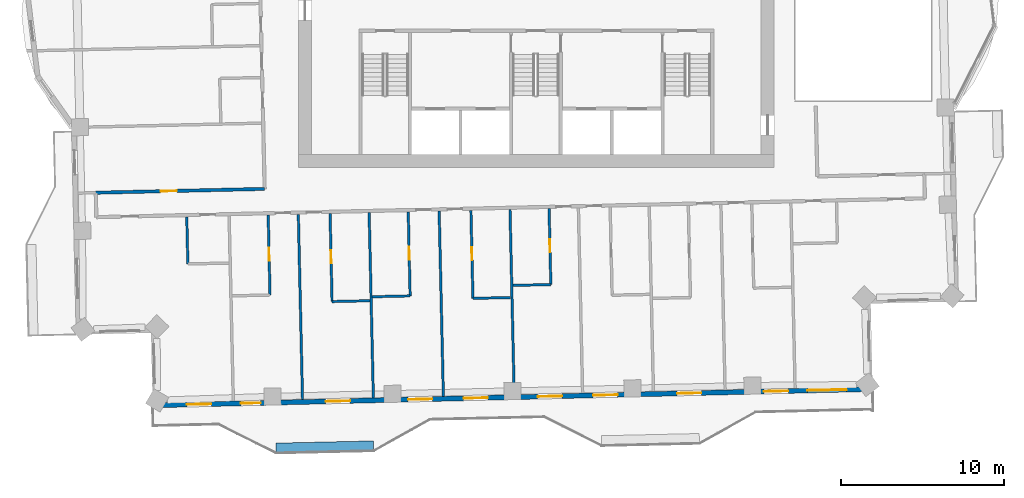
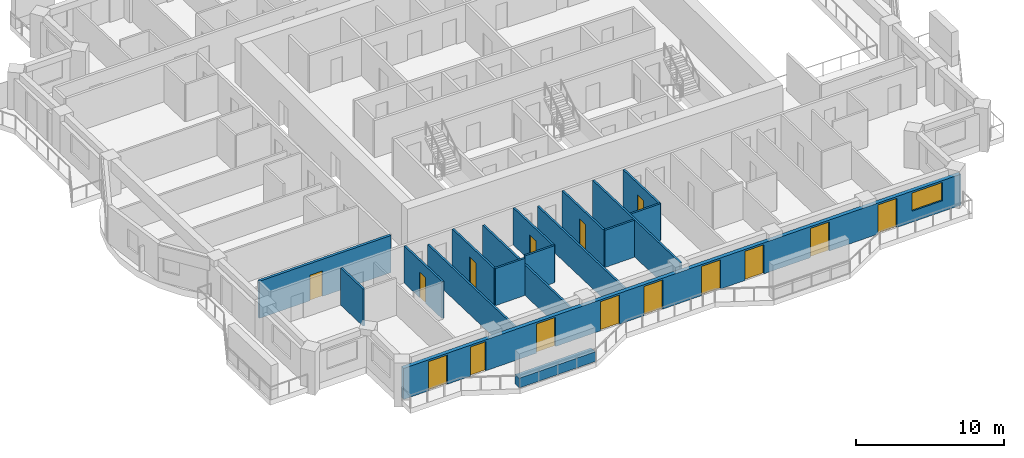
# One storey, part 6 of 17: 17 walls, 15 doors, 1 window, 16 openings.
"""IFC4 building model written with IfcOpenShell, lengths in metres."""

from ifc_helpers import new_model, si_unit, direction, frame, frame_2d, origin, place, context, subcontext, project, spatial, rectangle, extrude, material, layer, layer_set, type_object, element, fill, save


model = new_model("IFC4")

# Units and contexts
model_context = context("Model", 3, precision=1e-05, world=origin(), true_north=direction((0.0, 1.0)))
body_context = subcontext(model_context, "Body", "Model", "MODEL_VIEW")
ifc_project = project(units=[si_unit("LENGTHUNIT", "METRE"), si_unit("AREAUNIT", "SQUARE_METRE"), si_unit("VOLUMEUNIT", "CUBIC_METRE"), si_unit("PLANEANGLEUNIT", "RADIAN"), si_unit("MASSUNIT", "GRAM", prefix="KILO")], contexts=[model_context])

# Site, building, storey
site_placement = place(None, origin())
site = spatial("IfcSite", under=ifc_project, at=site_placement, CompositionType="ELEMENT")
building_placement = place(site_placement, origin())
building = spatial("IfcBuilding", under=site, at=building_placement, Name="Mangrove Gate Tower", CompositionType="ELEMENT")
storey_placement = place(building_placement, frame((0.0, 0.0, 245.5)))
storey = spatial("IfcBuildingStorey", under=building, at=storey_placement, Name="L62", CompositionType="ELEMENT", Elevation=245.5)

# Wall, opening, door
ifc_material_1 = material(Name="Gypsum board on steel stud, EI 60", Category="steel")
ifc_layer_1 = layer(ifc_material_1, 0.199951171875)
ifc_layer_set_1 = layer_set([ifc_layer_1], Name="Corridor wall EI 60")
wall_type_1 = type_object("IfcWallType", Name="Corridor wall EI 60", PredefinedType="PARTITIONING", material=ifc_layer_set_1)
wall_1_placement = place(storey_placement, frame((-27.050048828125, -13.14990234375, 0.0), z_axis=(0.0, 0.0, 1.0), x_axis=(0.999743679035, 0.022640146404, 0.0)))
wall_1 = element("IfcWall", 1, at=wall_1_placement, inside=storey, type_object=wall_type_1, Name="WALL-L62-036", PredefinedType="PARTITIONING", context=body_context, shape_type="SweptSolid", body=[
    extrude(rectangle(XDim=10.373779296875, YDim=0.199951171875, at=frame_2d((5.18701171875, 0.0))), origin(), (0.0, 0.0, 1.0), 3.050048828125),
])
opening_1_placement = place(wall_1_placement, frame((3.987060546875, 0.0, 0.0)))
opening_1 = element("IfcOpeningElement", 2, at=opening_1_placement, cuts=wall_1, Name="Opening AD", PredefinedType="OPENING", context=body_context, shape_type="SweptSolid", body=[
    extrude(rectangle(XDim=1.0, YDim=2.10009765625, at=frame_2d((0.5, 1.050048828125))), frame((0.0, 0.10986328125, 0.0), z_axis=(0.0, -1.0, 0.0), x_axis=(1.0, 0.0, 0.0)), (0.0, 0.0, 1.0), 0.219970703125),
])
ifc_material_2 = material(Name="Timber door leaf", Category="wood")
door_type_1 = type_object("IfcDoorType", Name="Amenity door 1000", OperationType="SINGLE_SWING_LEFT", PredefinedType="DOOR", material=ifc_material_2)
door_1_placement = place(opening_1_placement, origin())
door_1 = element("IfcDoor", 3, at=door_1_placement, inside=storey, type_object=door_type_1, Name="DOOR-L62-KIT-c5d", OperationType="SINGLE_SWING_LEFT", OverallHeight=2.10009765625, OverallWidth=1.0, PredefinedType="DOOR", context=body_context, shape_type="SweptSolid", body=[
    extrude(rectangle(XDim=1.0, YDim=2.10009765625, at=frame_2d((0.5, 1.050048828125))), frame((0.0, 0.02490234375, 0.0), z_axis=(0.0, -1.0, 0.0), x_axis=(1.0, 0.0, 0.0)), (0.0, 0.0, 1.0), 0.050048828125),
])
fill(opening_1, door_1)

# Wall, openings, doors, window
ifc_material_3 = material(Name="Limestone", Category="masonry")
ifc_layer_2 = layer(ifc_material_3, 0.0400390625, Name="Limestone cladding")
ifc_material_4 = material(Name="Ventilated air gap")
ifc_layer_3 = layer(ifc_material_4, 0.0400390625, Name="Ventilated cavity")
ifc_material_5 = material(Name="Mineral wool insulation")
ifc_layer_4 = layer(ifc_material_5, 0.06005859375, Name="Insulation")
ifc_material_6 = material(Name="Breather membrane")
ifc_layer_5 = layer(ifc_material_6, 0.001953125, Name="Breather membrane")
ifc_material_7 = material(Name="Concrete C20/25 blockwork", Category="masonry")
ifc_layer_6 = layer(ifc_material_7, 0.14990234375, Name="Blockwork backing wall")
ifc_material_8 = material(Name="Gypsum plaster")
ifc_layer_7 = layer(ifc_material_8, 0.008056640625, Name="Internal plaster")
ifc_layer_set_2 = layer_set([ifc_layer_2, ifc_layer_3, ifc_layer_4, ifc_layer_5, ifc_layer_6, ifc_layer_7], Name="External wall 300 limestone cladding")
wall_type_2 = type_object("IfcWallType", Name="External wall 300 limestone cladding", PredefinedType="SOLIDWALL", material=ifc_layer_set_2)
wall_2_placement = place(storey_placement, frame((-23.403076171875, -26.200927734375, 0.0), z_axis=(0.0, 0.0, 1.0), x_axis=(0.999742770494, 0.022680230258, 0.0)))
wall_2 = element("IfcWall", 4, at=wall_2_placement, inside=storey, type_object=wall_type_2, Name="WALL-L62-S13", PredefinedType="SOLIDWALL", context=body_context, shape_type="SweptSolid", body=[
    extrude(rectangle(XDim=43.908203125, YDim=0.300048828125, at=frame_2d((21.9541015625, 0.0))), origin(), (0.0, 0.0, 1.0), 2.550048828125),
])
opening_2_placement = place(wall_2_placement, frame((1.950927734375, 0.0, 0.0)))
opening_2 = element("IfcOpeningElement", 5, at=opening_2_placement, cuts=wall_2, Name="Opening BD1", PredefinedType="OPENING", context=body_context, shape_type="SweptSolid", body=[
    extrude(rectangle(XDim=1.5, YDim=2.39990234375, at=frame_2d((0.75, 1.199951171875))), frame((0.0, 0.159912109375, 0.0), z_axis=(0.0, -1.0, 0.0), x_axis=(1.0, 0.0, 0.0)), (0.0, 0.0, 1.0), 0.320068359375),
])
opening_3_placement = place(wall_2_placement, frame((5.27197265625, 0.0, 0.0)))
opening_3 = element("IfcOpeningElement", 6, at=opening_3_placement, cuts=wall_2, Name="Opening BD2", PredefinedType="OPENING", context=body_context, shape_type="SweptSolid", body=[
    extrude(rectangle(XDim=1.199951171875, YDim=2.39990234375, at=frame_2d((0.60009765625, 1.199951171875))), frame((0.0, 0.159912109375, 0.0), z_axis=(0.0, -1.0, 0.0), x_axis=(1.0, 0.0, 0.0)), (0.0, 0.0, 1.0), 0.320068359375),
])
opening_4_placement = place(wall_2_placement, frame((10.47509765625, 0.0, 0.0)))
opening_4 = element("IfcOpeningElement", 7, at=opening_4_placement, cuts=wall_2, Name="Opening BD1", PredefinedType="OPENING", context=body_context, shape_type="SweptSolid", body=[
    extrude(rectangle(XDim=1.5, YDim=2.39990234375, at=frame_2d((0.75, 1.199951171875))), frame((0.0, 0.159912109375, 0.0), z_axis=(0.0, -1.0, 0.0), x_axis=(1.0, 0.0, 0.0)), (0.0, 0.0, 1.0), 0.320068359375),
])
opening_5_placement = place(wall_2_placement, frame((15.530029296875, 0.0, 0.0)))
opening_5 = element("IfcOpeningElement", 8, at=opening_5_placement, cuts=wall_2, Name="Opening BD1", PredefinedType="OPENING", context=body_context, shape_type="SweptSolid", body=[
    extrude(rectangle(XDim=1.5, YDim=2.39990234375, at=frame_2d((0.75, 1.199951171875))), frame((0.0, 0.159912109375, 0.0), z_axis=(0.0, -1.0, 0.0), x_axis=(1.0, 0.0, 0.0)), (0.0, 0.0, 1.0), 0.320068359375),
])
opening_6_placement = place(wall_2_placement, frame((18.93896484375, 0.0, 0.0)))
opening_6 = element("IfcOpeningElement", 9, at=opening_6_placement, cuts=wall_2, Name="Opening BD1", PredefinedType="OPENING", context=body_context, shape_type="SweptSolid", body=[
    extrude(rectangle(XDim=1.5, YDim=2.39990234375, at=frame_2d((0.75, 1.199951171875))), frame((0.0, 0.159912109375, 0.0), z_axis=(0.0, -1.0, 0.0), x_axis=(1.0, 0.0, 0.0)), (0.0, 0.0, 1.0), 0.320068359375),
])
opening_7_placement = place(wall_2_placement, frame((23.489013671875, 0.0, 0.0)))
opening_7 = element("IfcOpeningElement", 10, at=opening_7_placement, cuts=wall_2, Name="Opening BD1", PredefinedType="OPENING", context=body_context, shape_type="SweptSolid", body=[
    extrude(rectangle(XDim=1.5, YDim=2.39990234375, at=frame_2d((0.75, 1.199951171875))), frame((0.0, 0.159912109375, 0.0), z_axis=(0.0, -1.0, 0.0), x_axis=(1.0, 0.0, 0.0)), (0.0, 0.0, 1.0), 0.320068359375),
])
opening_8_placement = place(wall_2_placement, frame((26.89794921875, 0.0, 0.0)))
opening_8 = element("IfcOpeningElement", 11, at=opening_8_placement, cuts=wall_2, Name="Opening BD1", PredefinedType="OPENING", context=body_context, shape_type="SweptSolid", body=[
    extrude(rectangle(XDim=1.5, YDim=2.39990234375, at=frame_2d((0.75, 1.199951171875))), frame((0.0, 0.159912109375, 0.0), z_axis=(0.0, -1.0, 0.0), x_axis=(1.0, 0.0, 0.0)), (0.0, 0.0, 1.0), 0.320068359375),
])
opening_9_placement = place(wall_2_placement, frame((32.050048828125, 0.0, 0.0)))
opening_9 = element("IfcOpeningElement", 12, at=opening_9_placement, cuts=wall_2, Name="Opening BD1", PredefinedType="OPENING", context=body_context, shape_type="SweptSolid", body=[
    extrude(rectangle(XDim=1.5, YDim=2.39990234375, at=frame_2d((0.75, 1.199951171875))), frame((0.0, 0.159912109375, 0.0), z_axis=(0.0, -1.0, 0.0), x_axis=(1.0, 0.0, 0.0)), (0.0, 0.0, 1.0), 0.320068359375),
])
opening_10_placement = place(wall_2_placement, frame((37.382080078125, 0.0, 0.0)))
opening_10 = element("IfcOpeningElement", 13, at=opening_10_placement, cuts=wall_2, Name="Opening BD1", PredefinedType="OPENING", context=body_context, shape_type="SweptSolid", body=[
    extrude(rectangle(XDim=1.5, YDim=2.39990234375, at=frame_2d((0.75, 1.199951171875))), frame((0.0, 0.159912109375, 0.0), z_axis=(0.0, -1.0, 0.0), x_axis=(1.0, 0.0, 0.0)), (0.0, 0.0, 1.0), 0.320068359375),
])
opening_11_placement = place(wall_2_placement, frame((40.056884765625, 0.0, 0.89990234375)))
opening_11 = element("IfcOpeningElement", 14, at=opening_11_placement, cuts=wall_2, Name="Opening W2", PredefinedType="OPENING", context=body_context, shape_type="SweptSolid", body=[
    extrude(rectangle(XDim=2.39990234375, YDim=1.5, at=frame_2d((1.199951171875, 0.75))), frame((0.0, 0.159912109375, 0.0), z_axis=(0.0, -1.0, 0.0), x_axis=(1.0, 0.0, 0.0)), (0.0, 0.0, 1.0), 0.320068359375),
])
ifc_material_9 = material(Name="Aluminium frame with laminated clear glass", Category="aluminium")
door_type_2 = type_object("IfcDoorType", Name="Balcony sliding door 1200x2400", OperationType="SLIDING_TO_LEFT", PredefinedType="DOOR", material=ifc_material_9)
door_2_placement = place(opening_3_placement, origin())
door_2 = element("IfcDoor", 15, at=door_2_placement, inside=storey, type_object=door_type_2, Name="DOOR-L62-S13-2", OperationType="SLIDING_TO_LEFT", OverallHeight=2.39990234375, OverallWidth=1.199951171875, PredefinedType="DOOR", context=body_context, shape_type="SweptSolid", body=[
    extrude(rectangle(XDim=1.199951171875, YDim=2.39990234375, at=frame_2d((0.60009765625, 1.199951171875))), frame((0.0, 0.02490234375, 0.0), z_axis=(0.0, -1.0, 0.0), x_axis=(1.0, 0.0, 0.0)), (0.0, 0.0, 1.0), 0.050048828125),
])
fill(opening_3, door_2)
ifc_material_10 = material(Name="Aluminium frame with laminated clear glass", Category="aluminium")
door_type_3 = type_object("IfcDoorType", Name="Balcony sliding door 1500x2400", OperationType="SLIDING_TO_LEFT", PredefinedType="DOOR", material=ifc_material_10)
door_3_placement = place(opening_2_placement, origin())
door_3 = element("IfcDoor", 16, at=door_3_placement, inside=storey, type_object=door_type_3, Name="DOOR-L62-S13-1", OperationType="SLIDING_TO_LEFT", OverallHeight=2.39990234375, OverallWidth=1.5, PredefinedType="DOOR", context=body_context, shape_type="SweptSolid", body=[
    extrude(rectangle(XDim=1.5, YDim=2.39990234375, at=frame_2d((0.75, 1.199951171875))), frame((0.0, 0.02490234375, 0.0), z_axis=(0.0, -1.0, 0.0), x_axis=(1.0, 0.0, 0.0)), (0.0, 0.0, 1.0), 0.050048828125),
])
fill(opening_2, door_3)
door_4_placement = place(opening_4_placement, origin())
door_4 = element("IfcDoor", 17, at=door_4_placement, inside=storey, type_object=door_type_3, Name="DOOR-L62-S13-3", OperationType="SLIDING_TO_LEFT", OverallHeight=2.39990234375, OverallWidth=1.5, PredefinedType="DOOR", context=body_context, shape_type="SweptSolid", body=[
    extrude(rectangle(XDim=1.5, YDim=2.39990234375, at=frame_2d((0.75, 1.199951171875))), frame((0.0, 0.02490234375, 0.0), z_axis=(0.0, -1.0, 0.0), x_axis=(1.0, 0.0, 0.0)), (0.0, 0.0, 1.0), 0.050048828125),
])
fill(opening_4, door_4)
door_5_placement = place(opening_5_placement, origin())
door_5 = element("IfcDoor", 18, at=door_5_placement, inside=storey, type_object=door_type_3, Name="DOOR-L62-S13-4", OperationType="SLIDING_TO_LEFT", OverallHeight=2.39990234375, OverallWidth=1.5, PredefinedType="DOOR", context=body_context, shape_type="SweptSolid", body=[
    extrude(rectangle(XDim=1.5, YDim=2.39990234375, at=frame_2d((0.75, 1.199951171875))), frame((0.0, 0.02490234375, 0.0), z_axis=(0.0, -1.0, 0.0), x_axis=(1.0, 0.0, 0.0)), (0.0, 0.0, 1.0), 0.050048828125),
])
fill(opening_5, door_5)
door_6_placement = place(opening_6_placement, origin())
door_6 = element("IfcDoor", 19, at=door_6_placement, inside=storey, type_object=door_type_3, Name="DOOR-L62-S13-5", OperationType="SLIDING_TO_LEFT", OverallHeight=2.39990234375, OverallWidth=1.5, PredefinedType="DOOR", context=body_context, shape_type="SweptSolid", body=[
    extrude(rectangle(XDim=1.5, YDim=2.39990234375, at=frame_2d((0.75, 1.199951171875))), frame((0.0, 0.02490234375, 0.0), z_axis=(0.0, -1.0, 0.0), x_axis=(1.0, 0.0, 0.0)), (0.0, 0.0, 1.0), 0.050048828125),
])
fill(opening_6, door_6)
door_7_placement = place(opening_7_placement, origin())
door_7 = element("IfcDoor", 20, at=door_7_placement, inside=storey, type_object=door_type_3, Name="DOOR-L62-S13-6", OperationType="SLIDING_TO_LEFT", OverallHeight=2.39990234375, OverallWidth=1.5, PredefinedType="DOOR", context=body_context, shape_type="SweptSolid", body=[
    extrude(rectangle(XDim=1.5, YDim=2.39990234375, at=frame_2d((0.75, 1.199951171875))), frame((0.0, 0.02490234375, 0.0), z_axis=(0.0, -1.0, 0.0), x_axis=(1.0, 0.0, 0.0)), (0.0, 0.0, 1.0), 0.050048828125),
])
fill(opening_7, door_7)
door_8_placement = place(opening_8_placement, origin())
door_8 = element("IfcDoor", 21, at=door_8_placement, inside=storey, type_object=door_type_3, Name="DOOR-L62-S13-7", OperationType="SLIDING_TO_LEFT", OverallHeight=2.39990234375, OverallWidth=1.5, PredefinedType="DOOR", context=body_context, shape_type="SweptSolid", body=[
    extrude(rectangle(XDim=1.5, YDim=2.39990234375, at=frame_2d((0.75, 1.199951171875))), frame((0.0, 0.02490234375, 0.0), z_axis=(0.0, -1.0, 0.0), x_axis=(1.0, 0.0, 0.0)), (0.0, 0.0, 1.0), 0.050048828125),
])
fill(opening_8, door_8)
door_9_placement = place(opening_9_placement, origin())
door_9 = element("IfcDoor", 22, at=door_9_placement, inside=storey, type_object=door_type_3, Name="DOOR-L62-S13-8", OperationType="SLIDING_TO_LEFT", OverallHeight=2.39990234375, OverallWidth=1.5, PredefinedType="DOOR", context=body_context, shape_type="SweptSolid", body=[
    extrude(rectangle(XDim=1.5, YDim=2.39990234375, at=frame_2d((0.75, 1.199951171875))), frame((0.0, 0.02490234375, 0.0), z_axis=(0.0, -1.0, 0.0), x_axis=(1.0, 0.0, 0.0)), (0.0, 0.0, 1.0), 0.050048828125),
])
fill(opening_9, door_9)
door_10_placement = place(opening_10_placement, origin())
door_10 = element("IfcDoor", 23, at=door_10_placement, inside=storey, type_object=door_type_3, Name="DOOR-L62-S13-9", OperationType="SLIDING_TO_LEFT", OverallHeight=2.39990234375, OverallWidth=1.5, PredefinedType="DOOR", context=body_context, shape_type="SweptSolid", body=[
    extrude(rectangle(XDim=1.5, YDim=2.39990234375, at=frame_2d((0.75, 1.199951171875))), frame((0.0, 0.02490234375, 0.0), z_axis=(0.0, -1.0, 0.0), x_axis=(1.0, 0.0, 0.0)), (0.0, 0.0, 1.0), 0.050048828125),
])
fill(opening_10, door_10)
ifc_material_11 = material(Name="Aluminium frame with double-glazed low-e glass", Category="aluminium")
window_type = type_object("IfcWindowType", Name="Corner room window 2400x1500", PartitioningType="DOUBLE_PANEL_VERTICAL", PredefinedType="WINDOW", material=ifc_material_11)
window_placement = place(opening_11_placement, origin())
window = element("IfcWindow", 24, at=window_placement, inside=storey, type_object=window_type, Name="WIN-L62-S13-10", OverallHeight=1.5, OverallWidth=2.39990234375, PartitioningType="DOUBLE_PANEL_VERTICAL", PredefinedType="WINDOW", context=body_context, shape_type="SweptSolid", body=[
    extrude(rectangle(XDim=2.39990234375, YDim=1.5, at=frame_2d((1.199951171875, 0.75))), frame((0.0, 0.030029296875, 0.0), z_axis=(0.0, -1.0, 0.0), x_axis=(1.0, 0.0, 0.0)), (0.0, 0.0, 1.0), 0.06005859375),
])
fill(opening_11, window)

# Walls
ifc_material_12 = material(Name="Gypsum board on steel stud, EI 60", Category="steel")
ifc_layer_8 = layer(ifc_material_12, 0.14990234375)
ifc_layer_set_3 = layer_set([ifc_layer_8], Name="Party wall 150 EI 60")
wall_type_3 = type_object("IfcWallType", Name="Party wall 150 EI 60", PredefinedType="PARTITIONING", material=ifc_layer_set_3)
for number, where, z_axis, x_axis, name in (
    (25, (-14.35400390625, -25.845947265625, 0.0), (0.0, 0.0, 1.0), (-0.022684355347, 0.999742676904, 0.0), "WALL-L62-002"),
    (26, (-10.0048828125, -25.7470703125, 0.0), (0.0, 0.0, 1.0), (-0.022770155219, 0.999740726404, 0.0), "WALL-L62-003"),
    (27, (-5.70703125, -25.64892578125, 0.0), (0.0, 0.0, 1.0), (-0.022684355347, 0.999742676904, 0.0), "WALL-L62-004"),
):
    element("IfcWall", number, at=place(storey_placement, frame(where, z_axis=z_axis, x_axis=x_axis)), inside=storey, type_object=wall_type_3, Name=name, PredefinedType="PARTITIONING", context=body_context, shape_type="SweptSolid", body=[
        extrude(rectangle(XDim=11.3759765625, YDim=0.14990234375, at=frame_2d((5.68798828125, 0.0))), origin(), (0.0, 0.0, 1.0), 2.5),
    ])
wall_3_placement = place(storey_placement, frame((-1.35791015625, -25.551025390625, 0.0), z_axis=(0.0, 0.0, 1.0), x_axis=(-0.022684355347, 0.999742676904, 0.0)))
element("IfcWall", 28, at=wall_3_placement, inside=storey, type_object=wall_type_3, Name="WALL-L62-005", PredefinedType="PARTITIONING", context=body_context, shape_type="SweptSolid", body=[
    extrude(rectangle(XDim=11.3759765625, YDim=0.14990234375, at=frame_2d((5.68798828125, 0.0))), origin(), (0.0, 0.0, 1.0), 3.050048828125),
])

# Wall, opening, door
wall_4_placement = place(storey_placement, frame((-12.5400390625, -19.8369140625, 0.0), z_axis=(0.0, 0.0, 1.0), x_axis=(-0.022742931096, 0.999741346092, 0.0)))
wall_4 = element("IfcWall", 29, at=wall_4_placement, inside=storey, type_object=wall_type_3, Name="WALL-L62-012", PredefinedType="PARTITIONING", context=body_context, shape_type="SweptSolid", body=[
    extrude(rectangle(XDim=5.410400390625, YDim=0.14990234375, at=frame_2d((2.705078125, 0.0))), origin(), (0.0, 0.0, 1.0), 3.050048828125),
])
opening_12_placement = place(wall_4_placement, frame((2.35498046875, 0.0, 0.0)))
opening_12 = element("IfcOpeningElement", 30, at=opening_12_placement, cuts=wall_4, Name="Opening ED", PredefinedType="OPENING", context=body_context, shape_type="SweptSolid", body=[
    extrude(rectangle(XDim=0.800048828125, YDim=2.10009765625, at=frame_2d((0.39990234375, 1.050048828125))), frame((0.0, 0.0849609375, 0.0), z_axis=(0.0, -1.0, 0.0), x_axis=(1.0, 0.0, 0.0)), (0.0, 0.0, 1.0), 0.169921875),
])
ifc_material_13 = material(Name="Timber door leaf", Category="wood")
door_type_4 = type_object("IfcDoorType", Name="En-suite door 800", OperationType="SINGLE_SWING_LEFT", PredefinedType="DOOR", material=ifc_material_13)
door_11_placement = place(opening_12_placement, origin())
door_11 = element("IfcDoor", 31, at=door_11_placement, inside=storey, type_object=door_type_4, Name="DOOR-L62-ENS-c102", OperationType="SINGLE_SWING_RIGHT", OverallHeight=2.10009765625, OverallWidth=0.800048828125, PredefinedType="DOOR", context=body_context, shape_type="SweptSolid", body=[
    extrude(rectangle(XDim=0.800048828125, YDim=2.10009765625, at=frame_2d((0.39990234375, 1.050048828125))), frame((0.0, 0.02490234375, 0.0), z_axis=(0.0, -1.0, 0.0), x_axis=(1.0, 0.0, 0.0)), (0.0, 0.0, 1.0), 0.050048828125),
])
fill(opening_12, door_11)

wall_5_placement = place(storey_placement, frame((-3.89208984375, -19.64111328125, 0.0), z_axis=(0.0, 0.0, 1.0), x_axis=(-0.022696805576, 0.999742394328, 0.0)))
wall_5 = element("IfcWall", 32, at=wall_5_placement, inside=storey, type_object=wall_type_3, Name="WALL-L62-013", PredefinedType="PARTITIONING", context=body_context, shape_type="SweptSolid", body=[
    extrude(rectangle(XDim=5.41064453125, YDim=0.14990234375, at=frame_2d((2.705322265625, 0.0))), origin(), (0.0, 0.0, 1.0), 3.050048828125),
])
opening_13_placement = place(wall_5_placement, frame((2.35498046875, 0.0, 0.0)))
opening_13 = element("IfcOpeningElement", 33, at=opening_13_placement, cuts=wall_5, Name="Opening ED", PredefinedType="OPENING", context=body_context, shape_type="SweptSolid", body=[
    extrude(rectangle(XDim=0.800048828125, YDim=2.10009765625, at=frame_2d((0.39990234375, 1.050048828125))), frame((0.0, 0.0849609375, 0.0), z_axis=(0.0, -1.0, 0.0), x_axis=(1.0, 0.0, 0.0)), (0.0, 0.0, 1.0), 0.169921875),
])
door_12_placement = place(opening_13_placement, origin())
door_12 = element("IfcDoor", 34, at=door_12_placement, inside=storey, type_object=door_type_4, Name="DOOR-L62-ENS-c104", OperationType="SINGLE_SWING_RIGHT", OverallHeight=2.10009765625, OverallWidth=0.800048828125, PredefinedType="DOOR", context=body_context, shape_type="SweptSolid", body=[
    extrude(rectangle(XDim=0.800048828125, YDim=2.10009765625, at=frame_2d((0.39990234375, 1.050048828125))), frame((0.0, 0.02490234375, 0.0), z_axis=(0.0, -1.0, 0.0), x_axis=(1.0, 0.0, 0.0)), (0.0, 0.0, 1.0), 0.050048828125),
])
fill(opening_13, door_12)

# Walls
wall_6_placement = place(storey_placement, frame((-12.5439453125, -19.8330078125, 0.0), z_axis=(0.0, 0.0, 1.0), x_axis=(0.999740260747, 0.02279059109, 0.0)))
element("IfcWall", 35, at=wall_6_placement, inside=storey, type_object=wall_type_3, Name="WALL-L62-015", PredefinedType="PARTITIONING", context=body_context, shape_type="SweptSolid", body=[
    extrude(rectangle(XDim=2.324462890625, YDim=0.14990234375, at=frame_2d((1.162109375, 0.0))), origin(), (0.0, 0.0, 1.0), 3.050048828125),
])
wall_7_placement = place(storey_placement, frame((-3.89697265625, -19.636962890625, 0.0), z_axis=(0.0, 0.0, 1.0), x_axis=(0.999740478815, 0.022781023197, 0.0)))
element("IfcWall", 36, at=wall_7_placement, inside=storey, type_object=wall_type_3, Name="WALL-L62-016", PredefinedType="PARTITIONING", context=body_context, shape_type="SweptSolid", body=[
    extrude(rectangle(XDim=2.325439453125, YDim=0.14990234375, at=frame_2d((1.16259765625, 0.0))), origin(), (0.0, 0.0, 1.0), 3.050048828125),
])

# Wall, opening, door
wall_8_placement = place(storey_placement, frame((-7.7470703125, -19.488037109375, 0.0), z_axis=(0.0, 0.0, 1.0), x_axis=(-0.022618432726, 0.999744170526, 0.0)))
wall_8 = element("IfcWall", 37, at=wall_8_placement, inside=storey, type_object=wall_type_3, Name="WALL-L62-018", PredefinedType="PARTITIONING", context=body_context, shape_type="SweptSolid", body=[
    extrude(rectangle(XDim=5.170166015625, YDim=0.14990234375, at=frame_2d((2.5849609375, 0.0))), origin(), (0.0, 0.0, 1.0), 3.050048828125),
])
opening_14_placement = place(wall_8_placement, frame((2.235107421875, 0.0, 0.0)))
opening_14 = element("IfcOpeningElement", 38, at=opening_14_placement, cuts=wall_8, Name="Opening ED", PredefinedType="OPENING", context=body_context, shape_type="SweptSolid", body=[
    extrude(rectangle(XDim=0.800048828125, YDim=2.10009765625, at=frame_2d((0.39990234375, 1.050048828125))), frame((0.0, 0.0849609375, 0.0), z_axis=(0.0, -1.0, 0.0), x_axis=(1.0, 0.0, 0.0)), (0.0, 0.0, 1.0), 0.169921875),
])
door_13_placement = place(opening_14_placement, origin())
door_13 = element("IfcDoor", 39, at=door_13_placement, inside=storey, type_object=door_type_4, Name="DOOR-L62-ENS-c103", OperationType="SINGLE_SWING_LEFT", OverallHeight=2.10009765625, OverallWidth=0.800048828125, PredefinedType="DOOR", context=body_context, shape_type="SweptSolid", body=[
    extrude(rectangle(XDim=0.800048828125, YDim=2.10009765625, at=frame_2d((0.39990234375, 1.050048828125))), frame((0.0, 0.02490234375, 0.0), z_axis=(0.0, -1.0, 0.0), x_axis=(1.0, 0.0, 0.0)), (0.0, 0.0, 1.0), 0.050048828125),
])
fill(opening_14, door_13)

# Wall
wall_9_placement = place(storey_placement, frame((-10.074951171875, -19.537109375, 0.0), z_axis=(0.0, 0.0, 1.0), x_axis=(0.999737862264, 0.022895561926, 0.0)))
element("IfcWall", 40, at=wall_9_placement, inside=storey, type_object=wall_type_3, Name="WALL-L62-020", PredefinedType="PARTITIONING", context=body_context, shape_type="SweptSolid", body=[
    extrude(rectangle(XDim=2.324462890625, YDim=0.14990234375, at=frame_2d((1.162109375, 0.0))), origin(), (0.0, 0.0, 1.0), 3.050048828125),
])

# Wall, opening, door
wall_10_placement = place(storey_placement, frame((-16.35009765625, -19.43310546875, 0.0), z_axis=(0.0, 0.0, 1.0), x_axis=(-0.022724786614, 0.999741758692, 0.0)))
wall_10 = element("IfcWall", 41, at=wall_10_placement, inside=storey, type_object=wall_type_3, Name="WALL-L62-022", PredefinedType="PARTITIONING", context=body_context, shape_type="SweptSolid", body=[
    extrude(rectangle(XDim=4.92041015625, YDim=0.14990234375, at=frame_2d((2.460205078125, 0.0))), origin(), (0.0, 0.0, 1.0), 3.050048828125),
])
opening_15_placement = place(wall_10_placement, frame((2.110107421875, 0.0, 0.0)))
opening_15 = element("IfcOpeningElement", 42, at=opening_15_placement, cuts=wall_10, Name="Opening ED", PredefinedType="OPENING", context=body_context, shape_type="SweptSolid", body=[
    extrude(rectangle(XDim=0.800048828125, YDim=2.10009765625, at=frame_2d((0.39990234375, 1.050048828125))), frame((0.0, 0.0849609375, 0.0), z_axis=(0.0, -1.0, 0.0), x_axis=(1.0, 0.0, 0.0)), (0.0, 0.0, 1.0), 0.169921875),
])
door_14_placement = place(opening_15_placement, origin())
door_14 = element("IfcDoor", 43, at=door_14_placement, inside=storey, type_object=door_type_4, Name="DOOR-L62-ENS-c101", OperationType="SINGLE_SWING_LEFT", OverallHeight=2.10009765625, OverallWidth=0.800048828125, PredefinedType="DOOR", context=body_context, shape_type="SweptSolid", body=[
    extrude(rectangle(XDim=0.800048828125, YDim=2.10009765625, at=frame_2d((0.39990234375, 1.050048828125))), frame((0.0, 0.02490234375, 0.0), z_axis=(0.0, -1.0, 0.0), x_axis=(1.0, 0.0, 0.0)), (0.0, 0.0, 1.0), 0.050048828125),
])
fill(opening_15, door_14)

wall_11_placement = place(storey_placement, frame((0.889892578125, -18.7919921875, 0.0), z_axis=(0.0, 0.0, 1.0), x_axis=(-0.022688155425, 0.999742590672, 0.0)))
wall_11 = element("IfcWall", 44, at=wall_11_placement, inside=storey, type_object=wall_type_3, Name="WALL-L62-024", PredefinedType="PARTITIONING", context=body_context, shape_type="SweptSolid", body=[
    extrude(rectangle(XDim=4.670166015625, YDim=0.14990234375, at=frame_2d((2.3349609375, 0.0))), origin(), (0.0, 0.0, 1.0), 3.050048828125),
])
opening_16_placement = place(wall_11_placement, frame((1.985107421875, 0.0, 0.0)))
opening_16 = element("IfcOpeningElement", 45, at=opening_16_placement, cuts=wall_11, Name="Opening ED", PredefinedType="OPENING", context=body_context, shape_type="SweptSolid", body=[
    extrude(rectangle(XDim=0.800048828125, YDim=2.10009765625, at=frame_2d((0.39990234375, 1.050048828125))), frame((0.0, 0.0849609375, 0.0), z_axis=(0.0, -1.0, 0.0), x_axis=(1.0, 0.0, 0.0)), (0.0, 0.0, 1.0), 0.169921875),
])
door_15_placement = place(opening_16_placement, origin())
door_15 = element("IfcDoor", 46, at=door_15_placement, inside=storey, type_object=door_type_4, Name="DOOR-L62-ENS-c205", OperationType="SINGLE_SWING_LEFT", OverallHeight=2.10009765625, OverallWidth=0.800048828125, PredefinedType="DOOR", context=body_context, shape_type="SweptSolid", body=[
    extrude(rectangle(XDim=0.800048828125, YDim=2.10009765625, at=frame_2d((0.39990234375, 1.050048828125))), frame((0.0, 0.02490234375, 0.0), z_axis=(0.0, -1.0, 0.0), x_axis=(1.0, 0.0, 0.0)), (0.0, 0.0, 1.0), 0.050048828125),
])
fill(opening_16, door_15)

# Walls
wall_12_placement = place(storey_placement, frame((-1.43896484375, -18.841064453125, 0.0), z_axis=(0.0, 0.0, 1.0), x_axis=(0.999740260747, 0.02279059109, 0.0)))
element("IfcWall", 47, at=wall_12_placement, inside=storey, type_object=wall_type_3, Name="WALL-L62-025", PredefinedType="PARTITIONING", context=body_context, shape_type="SweptSolid", body=[
    extrude(rectangle(XDim=2.324462890625, YDim=0.14990234375, at=frame_2d((1.162109375, 0.0))), origin(), (0.0, 0.0, 1.0), 3.050048828125),
])
wall_13_placement = place(storey_placement, frame((-21.39501953125, -17.527099609375, 0.0), z_axis=(0.0, 0.0, 1.0), x_axis=(-0.022730967319, 0.999741618182, 0.0)))
element("IfcWall", 48, at=wall_13_placement, inside=storey, type_object=wall_type_3, Name="WALL-L62-026", PredefinedType="PARTITIONING", context=body_context, shape_type="SweptSolid", body=[
    extrude(rectangle(XDim=2.89990234375, YDim=0.14990234375, at=frame_2d((1.449951171875, 0.0))), origin(), (0.0, 0.0, 1.0), 3.050048828125),
])
ifc_material_14 = material(Name="Concrete C32/40", Category="concrete")
ifc_layer_9 = layer(ifc_material_14, 0.199951171875, Name="Planter trough wall")
ifc_material_15 = material(Name="Bituminous waterproofing membrane")
ifc_layer_10 = layer(ifc_material_15, 0.0048828125, Name="Waterproofing")
ifc_material_16 = material(Name="Drainage board and gravel")
ifc_layer_11 = layer(ifc_material_16, 0.044921875, Name="Drainage layer")
ifc_material_17 = material(Name="Planting soil")
ifc_layer_12 = layer(ifc_material_17, 0.300048828125, Name="Growing medium")
ifc_layer_set_4 = layer_set([ifc_layer_9, ifc_layer_10, ifc_layer_11, ifc_layer_12], Name="Planter wall 550 C32/40")
wall_type_4 = type_object("IfcWallType", Name="Planter wall 550 C32/40", PredefinedType="USERDEFINED", material=ifc_layer_set_4)
wall_14_placement = place(storey_placement, frame((-15.988037109375, -28.798095703125, 0.0), z_axis=(0.0, 0.0, 1.0), x_axis=(0.999743178102, 0.022662255828, 0.0)))
element("IfcWall", 49, at=wall_14_placement, inside=storey, type_object=wall_type_4, Name="PLANTER L62 S0.1", ObjectType="PLANTER", PredefinedType="USERDEFINED", context=body_context, shape_type="SweptSolid", body=[
    extrude(rectangle(XDim=6.00048828125, YDim=0.550048828125, at=frame_2d((3.000244140625, 0.0))), origin(), (0.0, 0.0, 1.0), 0.800048828125),
])

save(model, "model.ifc")
